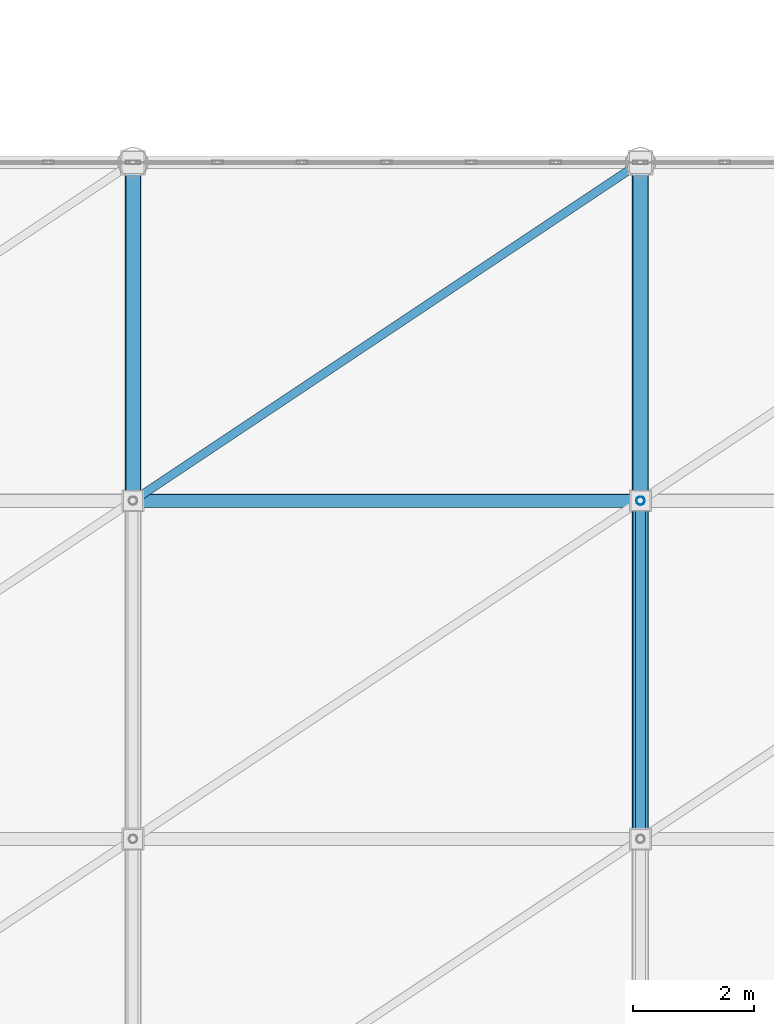
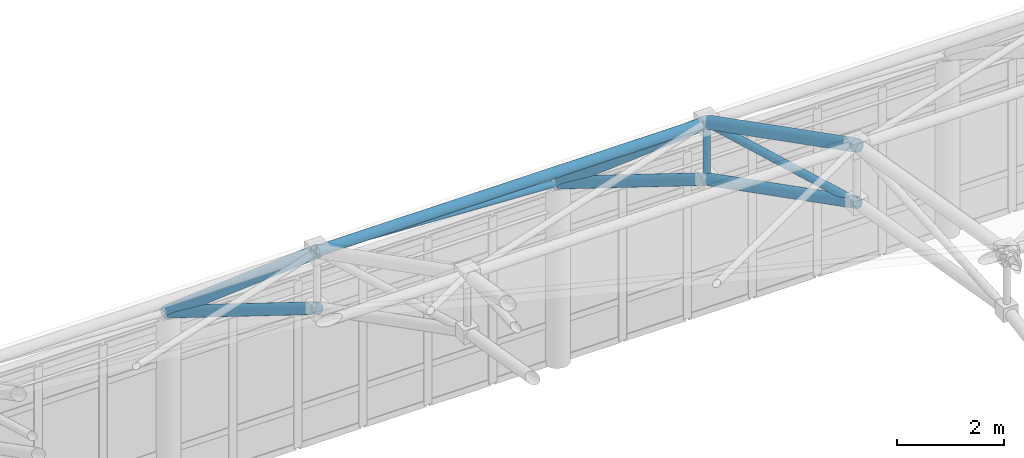
# One storey, part 75 of 184: 10 members.
"""IFC4 building model written with IfcOpenShell, lengths in metres."""

from ifc_helpers import new_model, si_unit, direction, frame, origin, origin_2d, place, context, subcontext, project, spatial, hollow_circle, extrude, material, material_profile, profile_set, type_object, element, save


model = new_model("IFC4")

# Units and contexts
model_context = context("Model", 3, precision=1e-05, world=origin(), true_north=direction((0.0, 1.0)))
body_context = subcontext(model_context, "Body", "Model", "MODEL_VIEW")
ifc_project = project(units=[si_unit("LENGTHUNIT", "METRE"), si_unit("AREAUNIT", "SQUARE_METRE"), si_unit("VOLUMEUNIT", "CUBIC_METRE"), si_unit("PLANEANGLEUNIT", "RADIAN"), si_unit("MASSUNIT", "GRAM", prefix="KILO")], contexts=[model_context])

# Site, building, storey
site_placement = place(None, origin())
site = spatial("IfcSite", under=ifc_project, at=site_placement, CompositionType="ELEMENT")
building_placement = place(site_placement, origin())
building = spatial("IfcBuilding", under=site, at=building_placement, Name="Qalvenar Corner Mobility Hub", CompositionType="ELEMENT")
storey_placement = place(building_placement, frame((0.0, 0.0, 9.0)))
storey = spatial("IfcBuildingStorey", under=building, at=storey_placement, Name="L02", CompositionType="ELEMENT", Elevation=9.0)

# Members
ifc_material = material(Name="Steel S355", Category="steel")
ifc_material_profile_1 = material_profile(ifc_material, hollow_circle(Radius=0.109619140625, WallThickness=0.008056640625, at=origin_2d()), Name="CHS219.1x8")
ifc_profile_set_1 = profile_set([ifc_material_profile_1], Name="Steel S355")
member_type_1 = type_object("IfcMemberType", Name="SF-CHD219", PredefinedType="CHORD", material=ifc_profile_set_1)
member_1_placement = place(storey_placement, frame((67.199951171875, 28.0, 8.837890625), z_axis=(1.0, 0.0, 0.0), x_axis=(0.0, 1.0, 0.0)))
element("IfcMember", 1, at=member_1_placement, inside=storey, type_object=member_type_1, Name="Space Frame Longitudinal Chord SFL-0195", PredefinedType="CHORD", context=body_context, shape_type="SweptSolid", body=[
    extrude(hollow_circle(Radius=0.109619140625, WallThickness=0.008056640625, at=origin_2d()), origin(), (0.0, 0.0, 1.0), 8.400146484375),
])
ifc_material_profile_2 = material_profile(ifc_material, hollow_circle(Radius=0.122314453125, WallThickness=0.0087890625, at=origin_2d()), Name="CHS244.5x8.8")
ifc_profile_set_2 = profile_set([ifc_material_profile_2], Name="Steel S355")
member_type_2 = type_object("IfcMemberType", Name="SF-CHD244", PredefinedType="CHORD", material=ifc_profile_set_2)
member_2_placement = place(storey_placement, frame((67.199951171875, 28.0, 7.537841796875), z_axis=(0.0, 0.849513681623, -0.527566587964), x_axis=(-1.0, 0.0, 0.0)))
element("IfcMember", 2, at=member_2_placement, inside=storey, type_object=member_type_2, Name="Space Frame Bottom Chord SFBC-0058", PredefinedType="CHORD", context=body_context, shape_type="SweptSolid", body=[
    extrude(hollow_circle(Radius=0.122314453125, WallThickness=0.0087890625, at=origin_2d()), origin(), (0.0, 0.0, 1.0), 6.592041015625),
])
member_3_placement = place(storey_placement, frame((75.60009765625, 22.39990234375, 10.404296875), z_axis=(0.0, 0.890165077293, -0.455638162547), x_axis=(-1.0, 0.0, 0.0)))
element("IfcMember", 3, at=member_3_placement, inside=storey, type_object=member_type_2, Name="Space Frame Bottom Chord SFBC-0076", PredefinedType="CHORD", context=body_context, shape_type="SweptSolid", body=[
    extrude(hollow_circle(Radius=0.122314453125, WallThickness=0.0087890625, at=origin_2d()), origin(), (0.0, 0.0, 1.0), 6.291015625),
])
member_4_placement = place(storey_placement, frame((75.60009765625, 28.0, 7.537841796875), z_axis=(0.0, 0.849513681623, -0.527566587964), x_axis=(-1.0, 0.0, 0.0)))
element("IfcMember", 4, at=member_4_placement, inside=storey, type_object=member_type_2, Name="Space Frame Bottom Chord SFBC-0079", PredefinedType="CHORD", context=body_context, shape_type="SweptSolid", body=[
    extrude(hollow_circle(Radius=0.122314453125, WallThickness=0.0087890625, at=origin_2d()), origin(), (0.0, 0.0, 1.0), 6.592041015625),
])
ifc_material_profile_3 = material_profile(ifc_material, hollow_circle(Radius=0.136474609375, WallThickness=0.010009765625, at=origin_2d()), Name="CHS273x10")
ifc_profile_set_3 = profile_set([ifc_material_profile_3], Name="Steel S355")
member_type_3 = type_object("IfcMemberType", Name="SF-CHD273", PredefinedType="CHORD", material=ifc_profile_set_3)
member_5_placement = place(storey_placement, frame((67.199951171875, 28.0, 8.837890625), z_axis=(0.0, 0.760748216799, -0.64904710972), x_axis=(-1.0, 0.0, 0.0)))
element("IfcMember", 5, at=member_5_placement, inside=storey, type_object=member_type_3, Name="Space Frame Top Chord SFTC-0057", PredefinedType="CHORD", context=body_context, shape_type="SweptSolid", body=[
    extrude(hollow_circle(Radius=0.136474609375, WallThickness=0.010009765625, at=origin_2d()), origin(), (0.0, 0.0, 1.0), 7.361328125),
])
member_6_placement = place(storey_placement, frame((75.60009765625, 22.39990234375, 11.704345703125), z_axis=(0.0, 0.890165077293, -0.455638162547), x_axis=(-1.0, 0.0, 0.0)))
element("IfcMember", 6, at=member_6_placement, inside=storey, type_object=member_type_3, Name="Space Frame Top Chord SFTC-0075", PredefinedType="CHORD", context=body_context, shape_type="SweptSolid", body=[
    extrude(hollow_circle(Radius=0.136474609375, WallThickness=0.010009765625, at=origin_2d()), origin(), (0.0, 0.0, 1.0), 6.291015625),
])
member_7_placement = place(storey_placement, frame((75.60009765625, 28.0, 8.837890625), z_axis=(0.0, 0.760748216799, -0.64904710972), x_axis=(-1.0, 0.0, 0.0)))
element("IfcMember", 7, at=member_7_placement, inside=storey, type_object=member_type_3, Name="Space Frame Top Chord SFTC-0078", PredefinedType="CHORD", context=body_context, shape_type="SweptSolid", body=[
    extrude(hollow_circle(Radius=0.136474609375, WallThickness=0.010009765625, at=origin_2d()), origin(), (0.0, 0.0, 1.0), 7.361328125),
])
ifc_material_profile_4 = material_profile(ifc_material, hollow_circle(Radius=0.06982421875, WallThickness=0.0048828125, at=origin_2d()), Name="CHS139.7x5")
ifc_profile_set_4 = profile_set([ifc_material_profile_4], Name="Steel S355")
member_type_4 = type_object("IfcMemberType", Name="SF-STR139", PredefinedType="STRUT", material=ifc_profile_set_4)
member_8_placement = place(storey_placement, frame((75.60009765625, 28.0, 7.537841796875), z_axis=(0.0, 0.0, 1.0), x_axis=(1.0, 0.0, 0.0)))
element("IfcMember", 8, at=member_8_placement, inside=storey, type_object=member_type_4, Name="Space Frame King Strut SFV-0084", PredefinedType="STRUT", context=body_context, shape_type="SweptSolid", body=[
    extrude(hollow_circle(Radius=0.06982421875, WallThickness=0.0048828125, at=origin_2d()), origin(), (0.0, 0.0, 1.0), 1.300048828125),
])
member_9_placement = place(storey_placement, frame((67.199951171875, 28.0, 8.837890625), z_axis=(0.752080684615, 0.501387123077, -0.427768157582), x_axis=(-0.554700196225, 0.832050294338, 0.0)))
element("IfcMember", 9, at=member_9_placement, inside=storey, type_object=member_type_4, Name="Space Frame Plan Strut SFP-0201", PredefinedType="STRUT", context=body_context, shape_type="SweptSolid", body=[
    extrude(hollow_circle(Radius=0.06982421875, WallThickness=0.0048828125, at=origin_2d()), origin(), (0.0, 0.0, 1.0), 11.169189453125),
])
ifc_material_profile_5 = material_profile(ifc_material, hollow_circle(Radius=0.084228515625, WallThickness=0.00634765625, at=origin_2d()), Name="CHS168.3x6.3")
ifc_profile_set_5 = profile_set([ifc_material_profile_5], Name="Steel S355")
member_type_5 = type_object("IfcMemberType", Name="SF-STR168", PredefinedType="STRUT", material=ifc_profile_set_5)
member_10_placement = place(storey_placement, frame((75.60009765625, 22.39990234375, 10.404296875), z_axis=(0.0, 0.963036367481, -0.269371407), x_axis=(-1.0, 0.0, 0.0)))
element("IfcMember", 10, at=member_10_placement, inside=storey, type_object=member_type_5, Name="Space Frame Web Strut SFD-0077", PredefinedType="STRUT", context=body_context, shape_type="SweptSolid", body=[
    extrude(hollow_circle(Radius=0.084228515625, WallThickness=0.00634765625, at=origin_2d()), origin(), (0.0, 0.0, 1.0), 5.81494140625),
])

save(model, "model.ifc")
